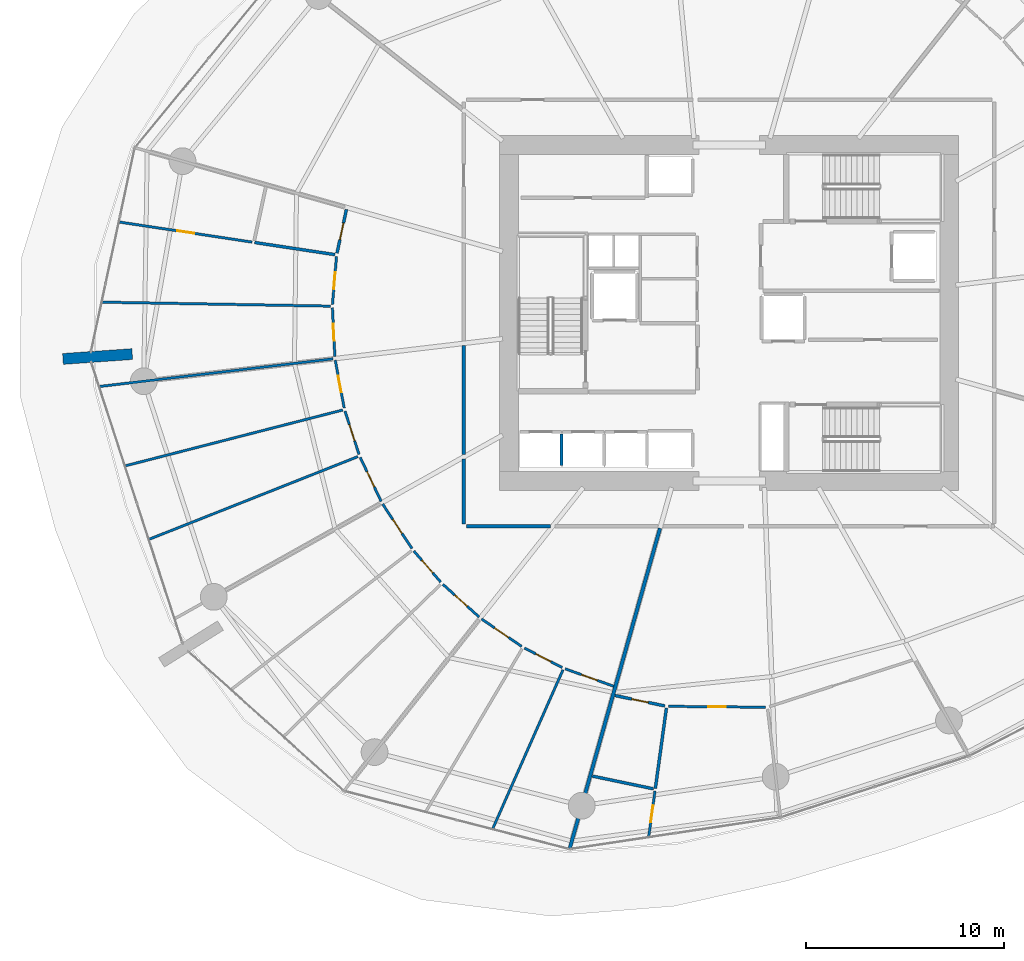
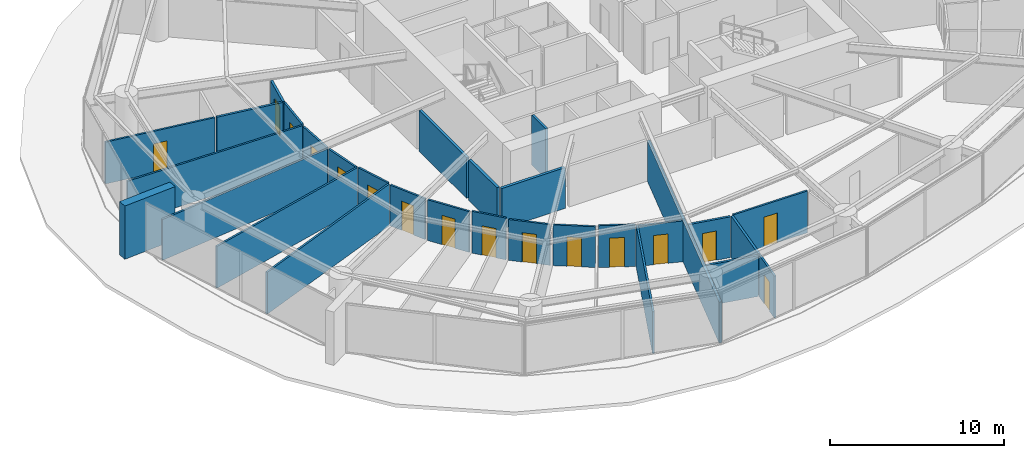
# One storey, part 17 of 22: 30 walls, 16 doors, 16 openings.
"""IFC4 building model written with IfcOpenShell, lengths in metres."""

from ifc_helpers import new_model, si_unit, direction, frame, frame_2d, origin, place, context, subcontext, project, spatial, rectangle, extrude, material, layer, layer_set, type_object, element, fill, save


model = new_model("IFC4")

# Units and contexts
model_context = context("Model", 3, precision=1e-05, world=origin(), true_north=direction((0.0, 1.0)))
body_context = subcontext(model_context, "Body", "Model", "MODEL_VIEW")
ifc_project = project(units=[si_unit("LENGTHUNIT", "METRE"), si_unit("AREAUNIT", "SQUARE_METRE"), si_unit("VOLUMEUNIT", "CUBIC_METRE"), si_unit("PLANEANGLEUNIT", "RADIAN"), si_unit("MASSUNIT", "GRAM", prefix="KILO")], contexts=[model_context])

# Site, building, storey
site_placement = place(None, origin())
site = spatial("IfcSite", under=ifc_project, at=site_placement, CompositionType="ELEMENT")
building_placement = place(site_placement, origin())
building = spatial("IfcBuilding", under=site, at=building_placement, Name="Kazma Halo Residences", CompositionType="ELEMENT")
storey_placement = place(building_placement, frame((0.0, 0.0, 26.39990234375)))
storey = spatial("IfcBuildingStorey", under=building, at=storey_placement, Name="L05", CompositionType="ELEMENT", Elevation=26.39990234375)

# Walls
ifc_material_1 = material(Name="Pale Concrete C60/75", Category="concrete")
ifc_layer_1 = layer(ifc_material_1, 0.550048828125)
ifc_layer_set_1 = layer_set([ifc_layer_1], Name="Pale Concrete C60/75")
wall_type_1 = type_object("IfcWallType", Name="WL-BLADE-550", PredefinedType="SOLIDWALL", material=ifc_layer_set_1)
wall_1_placement = place(storey_placement, frame((18.322021484375, 39.9248046875, 0.0), z_axis=(0.0, 0.0, 1.0), x_axis=(-0.997564163539, -0.069754853754, 0.0)))
element("IfcWall", 1, at=wall_1_placement, inside=storey, type_object=wall_type_1, Name="L05 pale concrete structural blade fin wall BW-02", PredefinedType="SOLIDWALL", context=body_context, shape_type="SweptSolid", body=[
    extrude(rectangle(XDim=3.5, YDim=0.550048828125, at=frame_2d((1.75, 0.0))), origin(), (0.0, 0.0, 1.0), 3.75),
])
ifc_material_2 = material(Name="Acoustic Twin-Stud Gypsum")
ifc_layer_2 = layer(ifc_material_2, 0.179931640625)
ifc_layer_set_2 = layer_set([ifc_layer_2], Name="Acoustic Twin-Stud Gypsum")
wall_type_2 = type_object("IfcWallType", Name="WL-DEM-180", PredefinedType="PARTITIONING", material=ifc_layer_set_2)
wall_2_placement = place(storey_placement, frame((44.938232421875, 31.14404296875, 0.0), z_axis=(0.0, 0.0, 1.0), x_axis=(-0.271435992935, -0.962456493427, 0.0)))
element("IfcWall", 2, at=wall_2_placement, inside=storey, type_object=wall_type_2, Name="L05 apartment demising radial wall 10", PredefinedType="PARTITIONING", context=body_context, shape_type="SweptSolid", body=[
    extrude(rectangle(XDim=16.79248046875, YDim=0.179931640625, at=frame_2d((8.396240234375, 0.0))), origin(), (0.0, 0.0, 1.0), 2.8671875),
])
wall_3_placement = place(storey_placement, frame((35.050048828125, 40.347412109375, 0.0), z_axis=(0.0, 0.0, 1.0), x_axis=(0.0, -1.0, 0.0)))
element("IfcWall", 3, at=wall_3_placement, inside=storey, type_object=wall_type_2, Name="L05 Apartment 2 inner wall 7", PredefinedType="PARTITIONING", context=body_context, shape_type="SweptSolid", body=[
    extrude(rectangle(XDim=5.479736328125, YDim=0.179931640625, at=frame_2d((2.73974609375, 0.0))), origin(), (0.0, 0.0, 1.0), 2.8671875),
])
wall_4_placement = place(storey_placement, frame((35.050048828125, 34.627685546875, 0.0), z_axis=(0.0, 0.0, 1.0), x_axis=(0.0, -1.0, 0.0)))
element("IfcWall", 4, at=wall_4_placement, inside=storey, type_object=wall_type_2, Name="L05 Apartment 2 inner wall 8", PredefinedType="PARTITIONING", context=body_context, shape_type="SweptSolid", body=[
    extrude(rectangle(XDim=3.257568359375, YDim=0.179931640625, at=frame_2d((1.62890625, 0.0))), origin(), (0.0, 0.0, 1.0), 2.8671875),
])
wall_5_placement = place(storey_placement, frame((35.169921875, 31.25, 0.0), z_axis=(0.0, 0.0, 1.0), x_axis=(1.0, 0.0, 0.0)))
element("IfcWall", 5, at=wall_5_placement, inside=storey, type_object=wall_type_2, Name="L05 Apartment 2 inner wall 8", PredefinedType="PARTITIONING", context=body_context, shape_type="SweptSolid", body=[
    extrude(rectangle(XDim=4.235595703125, YDim=0.179931640625, at=frame_2d((2.11767578125, 0.0))), origin(), (0.0, 0.0, 1.0), 2.8671875),
])
ifc_material_3 = material(Name="Fire-Rated Blockwork Masonry", Category="masonry")
ifc_layer_3 = layer(ifc_material_3, 0.199951171875)
ifc_layer_set_3 = layer_set([ifc_layer_3], Name="Fire-Rated Blockwork Masonry")
wall_type_3 = type_object("IfcWallType", Name="WL-FLB-200", PredefinedType="PARTITIONING", material=ifc_layer_set_3)
wall_6_placement = place(storey_placement, frame((39.97509765625, 34.294921875, 0.0), z_axis=(0.0, 0.0, 1.0), x_axis=(0.0, 1.0, 0.0)))
element("IfcWall", 6, at=wall_6_placement, inside=storey, type_object=wall_type_3, Name="L05 lift shaft PL-01 side wall E", PredefinedType="PARTITIONING", context=body_context, shape_type="SweptSolid", body=[
    extrude(rectangle(XDim=1.610107421875, YDim=0.159912109375, at=frame_2d((0.80517578125, 0.0))), origin(), (0.0, 0.0, 1.0), 3.5),
])

# Wall, opening, door
ifc_material_4 = material(Name="Gypsum Plasterboard Partition")
ifc_layer_4 = layer(ifc_material_4, 0.125)
ifc_layer_set_4 = layer_set([ifc_layer_4], Name="Gypsum Plasterboard Partition")
wall_type_4 = type_object("IfcWallType", Name="WL-PART-125", PredefinedType="PARTITIONING", material=ifc_layer_set_4)
wall_7_placement = place(storey_placement, frame((24.368408203125, 45.57177734375, 0.0), z_axis=(0.0, 0.0, 1.0), x_axis=(-0.988769342127, 0.149449617164, 0.0)))
wall_7 = element("IfcWall", 7, at=wall_7_placement, inside=storey, type_object=wall_type_4, Name="L05 Apartment 2 Household Store Room partition wall", PredefinedType="PARTITIONING", context=body_context, shape_type="SweptSolid", body=[
    extrude(rectangle(XDim=6.76953125, YDim=0.125, at=frame_2d((3.384765625, 0.0))), origin(), (0.0, 0.0, 1.0), 2.940185546875),
])
opening_1_placement = place(wall_7_placement, frame((2.959716796875, 0.0, 0.0)))
opening_1 = element("IfcOpeningElement", 8, at=opening_1_placement, cuts=wall_7, Name="Opening DB-900", PredefinedType="OPENING", context=body_context, shape_type="SweptSolid", body=[
    extrude(rectangle(XDim=0.85009765625, YDim=2.06005859375, at=frame_2d((0.425048828125, 1.030029296875))), frame((0.0, 0.072509765625, 0.0), z_axis=(0.0, -1.0, 0.0), x_axis=(1.0, 0.0, 0.0)), (0.0, 0.0, 1.0), 0.14501953125),
])
ifc_material_5 = material(Name="Moisture-Sealed Timber Leaf", Category="wood")
door_type_1 = type_object("IfcDoorType", Name="DR-BTH-900", OperationType="NOTDEFINED", PredefinedType="DOOR", material=ifc_material_5)
door_1_placement = place(opening_1_placement, origin())
door_1 = element("IfcDoor", 9, at=door_1_placement, inside=storey, type_object=door_type_1, Name="L05 Apartment 2 Household Store Room door", OperationType="SINGLE_SWING_LEFT", OverallHeight=2.06005859375, OverallWidth=0.85009765625, PredefinedType="DOOR", context=body_context, shape_type="SweptSolid", body=[
    extrude(rectangle(XDim=0.85009765625, YDim=2.06005859375, at=frame_2d((0.425048828125, 1.030029296875))), frame((0.0, 0.02490234375, 0.0), z_axis=(0.0, -1.0, 0.0), x_axis=(1.0, 0.0, 0.0)), (0.0, 0.0, 1.0), 0.050048828125),
])
fill(opening_1, door_1)

# Wall
wall_8_placement = place(storey_placement, frame((28.322998046875, 42.34326171875, 0.0), z_axis=(0.0, 0.0, 1.0), x_axis=(-0.999848157463, 0.017425900802, 0.0)))
element("IfcWall", 10, at=wall_8_placement, inside=storey, type_object=wall_type_4, Name="L05 Apartment 2 suite divider 6", PredefinedType="PARTITIONING", context=body_context, shape_type="SweptSolid", body=[
    extrude(rectangle(XDim=11.516357421875, YDim=0.125, at=frame_2d((5.75830078125, 0.0))), origin(), (0.0, 0.0, 1.0), 2.940185546875),
])

# Wall, opening, door
wall_9_placement = place(storey_placement, frame((28.62255859375, 44.837890625, 0.0), z_axis=(0.0, 0.0, 1.0), x_axis=(-0.083662019613, -0.996494187878, 0.0)))
wall_9 = element("IfcWall", 11, at=wall_9_placement, inside=storey, type_object=wall_type_4, Name="L05 Apartment 2 Gourmet Kitchen hall wall", PredefinedType="PARTITIONING", context=body_context, shape_type="SweptSolid", body=[
    extrude(rectangle(XDim=2.425048828125, YDim=0.125, at=frame_2d((1.21240234375, 0.0))), origin(), (0.0, 0.0, 1.0), 2.940185546875),
])
opening_2_placement = place(wall_9_placement, frame((0.78759765625, 0.0, 0.0)))
opening_2 = element("IfcOpeningElement", 12, at=opening_2_placement, cuts=wall_9, Name="Opening DB-900", PredefinedType="OPENING", context=body_context, shape_type="SweptSolid", body=[
    extrude(rectangle(XDim=0.85009765625, YDim=2.06005859375, at=frame_2d((0.425048828125, 1.030029296875))), frame((0.0, 0.072509765625, 0.0), z_axis=(0.0, -1.0, 0.0), x_axis=(1.0, 0.0, 0.0)), (0.0, 0.0, 1.0), 0.14501953125),
])
door_2_placement = place(opening_2_placement, origin())
door_2 = element("IfcDoor", 13, at=door_2_placement, inside=storey, type_object=door_type_1, Name="L05 Apartment 2 Gourmet Kitchen door", OperationType="SINGLE_SWING_RIGHT", OverallHeight=2.06005859375, OverallWidth=0.85009765625, PredefinedType="DOOR", context=body_context, shape_type="SweptSolid", body=[
    extrude(rectangle(XDim=0.85009765625, YDim=2.06005859375, at=frame_2d((0.425048828125, 1.030029296875))), frame((0.0, 0.02490234375, 0.0), z_axis=(0.0, -1.0, 0.0), x_axis=(1.0, 0.0, 0.0)), (0.0, 0.0, 1.0), 0.050048828125),
])
fill(opening_2, door_2)

wall_10_placement = place(storey_placement, frame((28.4169921875, 42.26171875, 0.0), z_axis=(0.0, 0.0, 1.0), x_axis=(0.050164619396, -0.998740962893, 0.0)))
wall_10 = element("IfcWall", 14, at=wall_10_placement, inside=storey, type_object=wall_type_4, Name="L05 Apartment 2 Master Bedroom hall wall", PredefinedType="PARTITIONING", context=body_context, shape_type="SweptSolid", body=[
    extrude(rectangle(XDim=2.467529296875, YDim=0.125, at=frame_2d((1.23388671875, 0.0))), origin(), (0.0, 0.0, 1.0), 2.8671875),
])
opening_3_placement = place(wall_10_placement, frame((0.808837890625, 0.0, 0.0)))
opening_3 = element("IfcOpeningElement", 15, at=opening_3_placement, cuts=wall_10, Name="Opening DB-900", PredefinedType="OPENING", context=body_context, shape_type="SweptSolid", body=[
    extrude(rectangle(XDim=0.85009765625, YDim=2.06005859375, at=frame_2d((0.425048828125, 1.030029296875))), frame((0.0, 0.072509765625, 0.0), z_axis=(0.0, -1.0, 0.0), x_axis=(1.0, 0.0, 0.0)), (0.0, 0.0, 1.0), 0.14501953125),
])
door_3_placement = place(opening_3_placement, origin())
door_3 = element("IfcDoor", 16, at=door_3_placement, inside=storey, type_object=door_type_1, Name="L05 Apartment 2 Master Bedroom door", OperationType="SINGLE_SWING_LEFT", OverallHeight=2.06005859375, OverallWidth=0.85009765625, PredefinedType="DOOR", context=body_context, shape_type="SweptSolid", body=[
    extrude(rectangle(XDim=0.85009765625, YDim=2.06005859375, at=frame_2d((0.425048828125, 1.030029296875))), frame((0.0, 0.02490234375, 0.0), z_axis=(0.0, -1.0, 0.0), x_axis=(1.0, 0.0, 0.0)), (0.0, 0.0, 1.0), 0.050048828125),
])
fill(opening_3, door_3)

# Walls
wall_11_placement = place(storey_placement, frame((28.446533203125, 39.685546875, 0.0), z_axis=(0.0, 0.0, 1.0), x_axis=(-0.993069352834, -0.117529827964, 0.0)))
element("IfcWall", 17, at=wall_11_placement, inside=storey, type_object=wall_type_4, Name="L05 Apartment 2 radial partition 7", PredefinedType="PARTITIONING", context=body_context, shape_type="SweptSolid", body=[
    extrude(rectangle(XDim=11.8486328125, YDim=0.125, at=frame_2d((5.92431640625, 0.0))), origin(), (0.0, 0.0, 1.0), 2.8671875),
])
for number, where, z_axis, x_axis, name in (
    (18, (28.938232421875, 37.105712890625, 0.0), (0.0, 0.0, 1.0), (-0.968583138893, -0.248689973767, 0.0), "L05 Apartment 2 bay wall 1 7"),
    (19, (29.701904296875, 34.75537109375, 0.0), (0.0, 0.0, 1.0), (-0.929773223041, -0.368132793591, 0.0), "L05 Apartment 2 bay wall 2 7"),
):
    element("IfcWall", number, at=place(storey_placement, frame(where, z_axis=z_axis, x_axis=x_axis)), inside=storey, type_object=wall_type_4, Name=name, PredefinedType="PARTITIONING", context=body_context, shape_type="SweptSolid", body=[
        extrude(rectangle(XDim=11.313232421875, YDim=0.125, at=frame_2d((5.65673828125, 0.0))), origin(), (0.0, 0.0, 1.0), 2.940185546875),
    ])

# Wall, opening, door
wall_12_placement = place(storey_placement, frame((28.560546875, 39.618896484375, 0.0), z_axis=(0.0, 0.0, 1.0), x_axis=(0.183471474028, -0.98302503438, 0.0)))
wall_12 = element("IfcWall", 20, at=wall_12_placement, inside=storey, type_object=wall_type_4, Name="L05 Apartment 2 Primary Master Bedroom hall wall", PredefinedType="PARTITIONING", context=body_context, shape_type="SweptSolid", body=[
    extrude(rectangle(XDim=2.453857421875, YDim=0.125, at=frame_2d((1.22705078125, 0.0))), origin(), (0.0, 0.0, 1.0), 2.8671875),
])
opening_4_placement = place(wall_12_placement, frame((0.8017578125, 0.0, 0.0)))
opening_4 = element("IfcOpeningElement", 21, at=opening_4_placement, cuts=wall_12, Name="Opening DB-900", PredefinedType="OPENING", context=body_context, shape_type="SweptSolid", body=[
    extrude(rectangle(XDim=0.85009765625, YDim=2.06005859375, at=frame_2d((0.425048828125, 1.030029296875))), frame((0.0, 0.072509765625, 0.0), z_axis=(0.0, -1.0, 0.0), x_axis=(1.0, 0.0, 0.0)), (0.0, 0.0, 1.0), 0.14501953125),
])
door_4_placement = place(opening_4_placement, origin())
door_4 = element("IfcDoor", 22, at=door_4_placement, inside=storey, type_object=door_type_1, Name="L05 Apartment 2 Primary Master Bedroom door", OperationType="SINGLE_SWING_RIGHT", OverallHeight=2.06005859375, OverallWidth=0.85009765625, PredefinedType="DOOR", context=body_context, shape_type="SweptSolid", body=[
    extrude(rectangle(XDim=0.85009765625, YDim=2.06005859375, at=frame_2d((0.425048828125, 1.030029296875))), frame((0.0, 0.02490234375, 0.0), z_axis=(0.0, -1.0, 0.0), x_axis=(1.0, 0.0, 0.0)), (0.0, 0.0, 1.0), 0.050048828125),
])
fill(opening_4, door_4)

wall_13_placement = place(storey_placement, frame((29.05029296875, 37.052001953125, 0.0), z_axis=(0.0, 0.0, 1.0), x_axis=(0.308990065628, -0.951065265554, 0.0)))
wall_13 = element("IfcWall", 23, at=wall_13_placement, inside=storey, type_object=wall_type_4, Name="L05 Apartment 2 Secondary Dressing Wardrobe hall wall", PredefinedType="PARTITIONING", context=body_context, shape_type="SweptSolid", body=[
    extrude(rectangle(XDim=2.300048828125, YDim=0.125, at=frame_2d((1.14990234375, 0.0))), origin(), (0.0, 0.0, 1.0), 2.940185546875),
])
opening_5_placement = place(wall_13_placement, frame((0.72509765625, 0.0, 0.0)))
opening_5 = element("IfcOpeningElement", 24, at=opening_5_placement, cuts=wall_13, Name="Opening DB-900", PredefinedType="OPENING", context=body_context, shape_type="SweptSolid", body=[
    extrude(rectangle(XDim=0.85009765625, YDim=2.06005859375, at=frame_2d((0.425048828125, 1.030029296875))), frame((0.0, 0.072509765625, 0.0), z_axis=(0.0, -1.0, 0.0), x_axis=(1.0, 0.0, 0.0)), (0.0, 0.0, 1.0), 0.14501953125),
])
door_5_placement = place(opening_5_placement, origin())
door_5 = element("IfcDoor", 25, at=door_5_placement, inside=storey, type_object=door_type_1, Name="L05 Apartment 2 Secondary Dressing Wardrobe door", OperationType="SINGLE_SWING_LEFT", OverallHeight=2.06005859375, OverallWidth=0.85009765625, PredefinedType="DOOR", context=body_context, shape_type="SweptSolid", body=[
    extrude(rectangle(XDim=0.85009765625, YDim=2.06005859375, at=frame_2d((0.425048828125, 1.030029296875))), frame((0.0, 0.02490234375, 0.0), z_axis=(0.0, -1.0, 0.0), x_axis=(1.0, 0.0, 0.0)), (0.0, 0.0, 1.0), 0.050048828125),
])
fill(opening_5, door_5)

wall_14_placement = place(storey_placement, frame((29.820068359375, 34.716064453125, 0.0), z_axis=(0.0, 0.0, 1.0), x_axis=(0.429373424985, -0.903127046388, 0.0)))
wall_14 = element("IfcWall", 26, at=wall_14_placement, inside=storey, type_object=wall_type_4, Name="L05 Apartment 2 East Master Bedroom hall wall", PredefinedType="PARTITIONING", context=body_context, shape_type="SweptSolid", body=[
    extrude(rectangle(XDim=2.45361328125, YDim=0.125, at=frame_2d((1.226806640625, 0.0))), origin(), (0.0, 0.0, 1.0), 2.8671875),
])
opening_6_placement = place(wall_14_placement, frame((0.8017578125, 0.0, 0.0)))
opening_6 = element("IfcOpeningElement", 27, at=opening_6_placement, cuts=wall_14, Name="Opening DB-900", PredefinedType="OPENING", context=body_context, shape_type="SweptSolid", body=[
    extrude(rectangle(XDim=0.85009765625, YDim=2.06005859375, at=frame_2d((0.425048828125, 1.030029296875))), frame((0.0, 0.072509765625, 0.0), z_axis=(0.0, -1.0, 0.0), x_axis=(1.0, 0.0, 0.0)), (0.0, 0.0, 1.0), 0.14501953125),
])
door_6_placement = place(opening_6_placement, origin())
door_6 = element("IfcDoor", 28, at=door_6_placement, inside=storey, type_object=door_type_1, Name="L05 Apartment 2 East Master Bedroom door", OperationType="SINGLE_SWING_RIGHT", OverallHeight=2.06005859375, OverallWidth=0.85009765625, PredefinedType="DOOR", context=body_context, shape_type="SweptSolid", body=[
    extrude(rectangle(XDim=0.85009765625, YDim=2.06005859375, at=frame_2d((0.425048828125, 1.030029296875))), frame((0.0, 0.02490234375, 0.0), z_axis=(0.0, -1.0, 0.0), x_axis=(1.0, 0.0, 0.0)), (0.0, 0.0, 1.0), 0.050048828125),
])
fill(opening_6, door_6)

wall_15_placement = place(storey_placement, frame((30.951904296875, 32.361083984375, 0.0), z_axis=(0.0, 0.0, 1.0), x_axis=(0.550641951823, -0.834741541372, 0.0)))
wall_15 = element("IfcWall", 29, at=wall_15_placement, inside=storey, type_object=wall_type_4, Name="L05 Apartment 2 West Master Bedroom hall wall", PredefinedType="PARTITIONING", context=body_context, shape_type="SweptSolid", body=[
    extrude(rectangle(XDim=2.683837890625, YDim=0.125, at=frame_2d((1.341796875, 0.0))), origin(), (0.0, 0.0, 1.0), 2.8671875),
])
opening_7_placement = place(wall_15_placement, frame((0.9169921875, 0.0, 0.0)))
opening_7 = element("IfcOpeningElement", 30, at=opening_7_placement, cuts=wall_15, Name="Opening DB-900", PredefinedType="OPENING", context=body_context, shape_type="SweptSolid", body=[
    extrude(rectangle(XDim=0.85009765625, YDim=2.06005859375, at=frame_2d((0.425048828125, 1.030029296875))), frame((0.0, 0.072509765625, 0.0), z_axis=(0.0, -1.0, 0.0), x_axis=(1.0, 0.0, 0.0)), (0.0, 0.0, 1.0), 0.14501953125),
])
door_7_placement = place(opening_7_placement, origin())
door_7 = element("IfcDoor", 31, at=door_7_placement, inside=storey, type_object=door_type_1, Name="L05 Apartment 2 West Master Bedroom door", OperationType="SINGLE_SWING_LEFT", OverallHeight=2.06005859375, OverallWidth=0.85009765625, PredefinedType="DOOR", context=body_context, shape_type="SweptSolid", body=[
    extrude(rectangle(XDim=0.85009765625, YDim=2.06005859375, at=frame_2d((0.425048828125, 1.030029296875))), frame((0.0, 0.02490234375, 0.0), z_axis=(0.0, -1.0, 0.0), x_axis=(1.0, 0.0, 0.0)), (0.0, 0.0, 1.0), 0.050048828125),
])
fill(opening_7, door_7)

wall_16_placement = place(storey_placement, frame((32.526123046875, 29.993408203125, 0.0), z_axis=(0.0, 0.0, 1.0), x_axis=(0.653933053639, -0.756552418117, 0.0)))
wall_16 = element("IfcWall", 32, at=wall_16_placement, inside=storey, type_object=wall_type_4, Name="L05 Apartment 2 North Study hall wall", PredefinedType="PARTITIONING", context=body_context, shape_type="SweptSolid", body=[
    extrude(rectangle(XDim=2.06982421875, YDim=0.125, at=frame_2d((1.034912109375, 0.0))), origin(), (0.0, 0.0, 1.0), 2.940185546875),
])
opening_8_placement = place(wall_16_placement, frame((0.60986328125, 0.0, 0.0)))
opening_8 = element("IfcOpeningElement", 33, at=opening_8_placement, cuts=wall_16, Name="Opening DB-900", PredefinedType="OPENING", context=body_context, shape_type="SweptSolid", body=[
    extrude(rectangle(XDim=0.85009765625, YDim=2.06005859375, at=frame_2d((0.425048828125, 1.030029296875))), frame((0.0, 0.072509765625, 0.0), z_axis=(0.0, -1.0, 0.0), x_axis=(1.0, 0.0, 0.0)), (0.0, 0.0, 1.0), 0.14501953125),
])
door_8_placement = place(opening_8_placement, origin())
door_8 = element("IfcDoor", 34, at=door_8_placement, inside=storey, type_object=door_type_1, Name="L05 Apartment 2 North Study door", OperationType="SINGLE_SWING_RIGHT", OverallHeight=2.06005859375, OverallWidth=0.85009765625, PredefinedType="DOOR", context=body_context, shape_type="SweptSolid", body=[
    extrude(rectangle(XDim=0.85009765625, YDim=2.06005859375, at=frame_2d((0.425048828125, 1.030029296875))), frame((0.0, 0.02490234375, 0.0), z_axis=(0.0, -1.0, 0.0), x_axis=(1.0, 0.0, 0.0)), (0.0, 0.0, 1.0), 0.050048828125),
])
fill(opening_8, door_8)

wall_17_placement = place(storey_placement, frame((33.9912109375, 28.3134765625, 0.0), z_axis=(0.0, 0.0, 1.0), x_axis=(0.742254293896, -0.670118320293, 0.0)))
wall_17 = element("IfcWall", 35, at=wall_17_placement, inside=storey, type_object=wall_type_4, Name="L05 Apartment 2 South Master Bedroom hall wall", PredefinedType="PARTITIONING", context=body_context, shape_type="SweptSolid", body=[
    extrude(rectangle(XDim=2.45361328125, YDim=0.125, at=frame_2d((1.226806640625, 0.0))), origin(), (0.0, 0.0, 1.0), 2.8671875),
])
opening_9_placement = place(wall_17_placement, frame((0.8017578125, 0.0, 0.0)))
opening_9 = element("IfcOpeningElement", 36, at=opening_9_placement, cuts=wall_17, Name="Opening DB-900", PredefinedType="OPENING", context=body_context, shape_type="SweptSolid", body=[
    extrude(rectangle(XDim=0.85009765625, YDim=2.06005859375, at=frame_2d((0.425048828125, 1.030029296875))), frame((0.0, 0.072509765625, 0.0), z_axis=(0.0, -1.0, 0.0), x_axis=(1.0, 0.0, 0.0)), (0.0, 0.0, 1.0), 0.14501953125),
])
door_9_placement = place(opening_9_placement, origin())
door_9 = element("IfcDoor", 37, at=door_9_placement, inside=storey, type_object=door_type_1, Name="L05 Apartment 2 South Master Bedroom door", OperationType="SINGLE_SWING_LEFT", OverallHeight=2.06005859375, OverallWidth=0.85009765625, PredefinedType="DOOR", context=body_context, shape_type="SweptSolid", body=[
    extrude(rectangle(XDim=0.85009765625, YDim=2.06005859375, at=frame_2d((0.425048828125, 1.030029296875))), frame((0.0, 0.02490234375, 0.0), z_axis=(0.0, -1.0, 0.0), x_axis=(1.0, 0.0, 0.0)), (0.0, 0.0, 1.0), 0.050048828125),
])
fill(opening_9, door_9)

# Wall
wall_18_placement = place(storey_placement, frame((40.04248046875, 24.00048828125, 0.0), z_axis=(0.0, 0.0, 1.0), x_axis=(-0.404336692669, -0.91461021149, 0.0)))
element("IfcWall", 38, at=wall_18_placement, inside=storey, type_object=wall_type_4, Name="L05 Apartment 2 bay wall 2 9", PredefinedType="PARTITIONING", context=body_context, shape_type="SweptSolid", body=[
    extrude(rectangle(XDim=8.7666015625, YDim=0.125, at=frame_2d((4.38330078125, 0.0))), origin(), (0.0, 0.0, 1.0), 2.940185546875),
])

# Wall, opening, door
wall_19_placement = place(storey_placement, frame((35.93798828125, 26.5703125, 0.0), z_axis=(0.0, 0.0, 1.0), x_axis=(0.824894565629, -0.565286613672, 0.0)))
wall_19 = element("IfcWall", 39, at=wall_19_placement, inside=storey, type_object=wall_type_4, Name="L05 Apartment 2 Inner Bedroom hall wall", PredefinedType="PARTITIONING", context=body_context, shape_type="SweptSolid", body=[
    extrude(rectangle(XDim=2.45361328125, YDim=0.125, at=frame_2d((1.226806640625, 0.0))), origin(), (0.0, 0.0, 1.0), 2.8671875),
])
opening_10_placement = place(wall_19_placement, frame((0.8017578125, 0.0, 0.0)))
opening_10 = element("IfcOpeningElement", 40, at=opening_10_placement, cuts=wall_19, Name="Opening DB-900", PredefinedType="OPENING", context=body_context, shape_type="SweptSolid", body=[
    extrude(rectangle(XDim=0.85009765625, YDim=2.06005859375, at=frame_2d((0.425048828125, 1.030029296875))), frame((0.0, 0.072509765625, 0.0), z_axis=(0.0, -1.0, 0.0), x_axis=(1.0, 0.0, 0.0)), (0.0, 0.0, 1.0), 0.14501953125),
])
door_10_placement = place(opening_10_placement, origin())
door_10 = element("IfcDoor", 41, at=door_10_placement, inside=storey, type_object=door_type_1, Name="L05 Apartment 2 Inner Bedroom door", OperationType="SINGLE_SWING_RIGHT", OverallHeight=2.06005859375, OverallWidth=0.85009765625, PredefinedType="DOOR", context=body_context, shape_type="SweptSolid", body=[
    extrude(rectangle(XDim=0.85009765625, YDim=2.06005859375, at=frame_2d((0.425048828125, 1.030029296875))), frame((0.0, 0.02490234375, 0.0), z_axis=(0.0, -1.0, 0.0), x_axis=(1.0, 0.0, 0.0)), (0.0, 0.0, 1.0), 0.050048828125),
])
fill(opening_10, door_10)

wall_20_placement = place(storey_placement, frame((38.09912109375, 25.1015625, 0.0), z_axis=(0.0, 0.0, 1.0), x_axis=(0.889180724552, -0.457556159487, 0.0)))
wall_20 = element("IfcWall", 42, at=wall_20_placement, inside=storey, type_object=wall_type_4, Name="L05 Apartment 2 Outer Dressing Wardrobe hall wall", PredefinedType="PARTITIONING", context=body_context, shape_type="SweptSolid", body=[
    extrude(rectangle(XDim=2.146484375, YDim=0.125, at=frame_2d((1.0732421875, 0.0))), origin(), (0.0, 0.0, 1.0), 2.940185546875),
])
opening_11_placement = place(wall_20_placement, frame((0.648193359375, 0.0, 0.0)))
opening_11 = element("IfcOpeningElement", 43, at=opening_11_placement, cuts=wall_20, Name="Opening DB-900", PredefinedType="OPENING", context=body_context, shape_type="SweptSolid", body=[
    extrude(rectangle(XDim=0.85009765625, YDim=2.06005859375, at=frame_2d((0.425048828125, 1.030029296875))), frame((0.0, 0.072509765625, 0.0), z_axis=(0.0, -1.0, 0.0), x_axis=(1.0, 0.0, 0.0)), (0.0, 0.0, 1.0), 0.14501953125),
])
door_11_placement = place(opening_11_placement, origin())
door_11 = element("IfcDoor", 44, at=door_11_placement, inside=storey, type_object=door_type_1, Name="L05 Apartment 2 Outer Dressing Wardrobe door", OperationType="SINGLE_SWING_LEFT", OverallHeight=2.06005859375, OverallWidth=0.85009765625, PredefinedType="DOOR", context=body_context, shape_type="SweptSolid", body=[
    extrude(rectangle(XDim=0.85009765625, YDim=2.06005859375, at=frame_2d((0.425048828125, 1.030029296875))), frame((0.0, 0.02490234375, 0.0), z_axis=(0.0, -1.0, 0.0), x_axis=(1.0, 0.0, 0.0)), (0.0, 0.0, 1.0), 0.050048828125),
])
fill(opening_11, door_11)

wall_21_placement = place(storey_placement, frame((40.154296875, 24.0556640625, 0.0), z_axis=(0.0, 0.0, 1.0), x_axis=(0.94088502421, -0.338726100584, 0.0)))
wall_21 = element("IfcWall", 45, at=wall_21_placement, inside=storey, type_object=wall_type_4, Name="L05 Apartment 2 Corner Bedroom hall wall", PredefinedType="PARTITIONING", context=body_context, shape_type="SweptSolid", body=[
    extrude(rectangle(XDim=2.60693359375, YDim=0.125, at=frame_2d((1.303466796875, 0.0))), origin(), (0.0, 0.0, 1.0), 2.8671875),
])
opening_12_placement = place(wall_21_placement, frame((0.878662109375, 0.0, 0.0)))
opening_12 = element("IfcOpeningElement", 46, at=opening_12_placement, cuts=wall_21, Name="Opening DB-900", PredefinedType="OPENING", context=body_context, shape_type="SweptSolid", body=[
    extrude(rectangle(XDim=0.85009765625, YDim=2.06005859375, at=frame_2d((0.425048828125, 1.030029296875))), frame((0.0, 0.072509765625, 0.0), z_axis=(0.0, -1.0, 0.0), x_axis=(1.0, 0.0, 0.0)), (0.0, 0.0, 1.0), 0.14501953125),
])
door_12_placement = place(opening_12_placement, origin())
door_12 = element("IfcDoor", 47, at=door_12_placement, inside=storey, type_object=door_type_1, Name="L05 Apartment 2 Corner Bedroom door", OperationType="SINGLE_SWING_RIGHT", OverallHeight=2.06005859375, OverallWidth=0.85009765625, PredefinedType="DOOR", context=body_context, shape_type="SweptSolid", body=[
    extrude(rectangle(XDim=0.85009765625, YDim=2.06005859375, at=frame_2d((0.425048828125, 1.030029296875))), frame((0.0, 0.02490234375, 0.0), z_axis=(0.0, -1.0, 0.0), x_axis=(1.0, 0.0, 0.0)), (0.0, 0.0, 1.0), 0.050048828125),
])
fill(opening_12, door_12)

wall_22_placement = place(storey_placement, frame((44.68505859375, 17.893798828125, 0.0), z_axis=(0.0, 0.0, 1.0), x_axis=(-0.136247867624, -0.990674779414, 0.0)))
wall_22 = element("IfcWall", 48, at=wall_22_placement, inside=storey, type_object=wall_type_4, Name="L05 Apartment 3 Utility Laundry Room partition wall", PredefinedType="PARTITIONING", context=body_context, shape_type="SweptSolid", body=[
    extrude(rectangle(XDim=2.3330078125, YDim=0.125, at=frame_2d((1.16650390625, 0.0))), origin(), (0.0, 0.0, 1.0), 2.940185546875),
])
opening_13_placement = place(wall_22_placement, frame((0.74169921875, 0.0, 0.0)))
opening_13 = element("IfcOpeningElement", 49, at=opening_13_placement, cuts=wall_22, Name="Opening DB-900", PredefinedType="OPENING", context=body_context, shape_type="SweptSolid", body=[
    extrude(rectangle(XDim=0.85009765625, YDim=2.06005859375, at=frame_2d((0.425048828125, 1.030029296875))), frame((0.0, 0.072509765625, 0.0), z_axis=(0.0, -1.0, 0.0), x_axis=(1.0, 0.0, 0.0)), (0.0, 0.0, 1.0), 0.14501953125),
])
door_13_placement = place(opening_13_placement, origin())
door_13 = element("IfcDoor", 50, at=door_13_placement, inside=storey, type_object=door_type_1, Name="L05 Apartment 3 Utility Laundry Room door", OperationType="SINGLE_SWING_LEFT", OverallHeight=2.06005859375, OverallWidth=0.85009765625, PredefinedType="DOOR", context=body_context, shape_type="SweptSolid", body=[
    extrude(rectangle(XDim=0.85009765625, YDim=2.06005859375, at=frame_2d((0.425048828125, 1.030029296875))), frame((0.0, 0.02490234375, 0.0), z_axis=(0.0, -1.0, 0.0), x_axis=(1.0, 0.0, 0.0)), (0.0, 0.0, 1.0), 0.050048828125),
])
fill(opening_13, door_13)

wall_23_placement = place(storey_placement, frame((45.3623046875, 22.162841796875, 0.0), z_axis=(0.0, 0.0, 1.0), x_axis=(0.999955503148, -0.009433542483, 0.0)))
wall_23 = element("IfcWall", 51, at=wall_23_placement, inside=storey, type_object=wall_type_4, Name="L05 Apartment 3 Gourmet Kitchen hall wall", PredefinedType="PARTITIONING", context=body_context, shape_type="SweptSolid", body=[
    extrude(rectangle(XDim=4.891357421875, YDim=0.125, at=frame_2d((2.44580078125, 0.0))), origin(), (0.0, 0.0, 1.0), 2.940185546875),
])
opening_14_placement = place(wall_23_placement, frame((1.995849609375, 0.0, 0.0)))
opening_14 = element("IfcOpeningElement", 52, at=opening_14_placement, cuts=wall_23, Name="Opening DI-950", PredefinedType="OPENING", context=body_context, shape_type="SweptSolid", body=[
    extrude(rectangle(XDim=0.89990234375, YDim=2.080078125, at=frame_2d((0.449951171875, 1.0400390625))), frame((0.0, 0.072509765625, 0.0), z_axis=(0.0, -1.0, 0.0), x_axis=(1.0, 0.0, 0.0)), (0.0, 0.0, 1.0), 0.14501953125),
])
ifc_material_6 = material(Name="Timber Veneer Flush Leaf", Category="wood")
door_type_2 = type_object("IfcDoorType", Name="DR-INT-950", OperationType="NOTDEFINED", PredefinedType="DOOR", material=ifc_material_6)
door_14_placement = place(opening_14_placement, origin())
door_14 = element("IfcDoor", 53, at=door_14_placement, inside=storey, type_object=door_type_2, Name="L05 Apartment 3 Gourmet Kitchen door", OperationType="SINGLE_SWING_RIGHT", OverallHeight=2.080078125, OverallWidth=0.89990234375, PredefinedType="DOOR", context=body_context, shape_type="SweptSolid", body=[
    extrude(rectangle(XDim=0.89990234375, YDim=2.080078125, at=frame_2d((0.449951171875, 1.0400390625))), frame((0.0, 0.02490234375, 0.0), z_axis=(0.0, -1.0, 0.0), x_axis=(1.0, 0.0, 0.0)), (0.0, 0.0, 1.0), 0.050048828125),
])
fill(opening_14, door_14)

ifc_material_7 = material(Name="Moisture-Resistant Gypsum")
ifc_layer_5 = layer(ifc_material_7, 0.14990234375)
ifc_layer_set_5 = layer_set([ifc_layer_5], Name="Moisture-Resistant Gypsum")
wall_type_5 = type_object("IfcWallType", Name="WL-WET-150", PredefinedType="PARTITIONING", material=ifc_layer_set_5)
wall_24_placement = place(storey_placement, frame((29.12451171875, 47.2197265625, 0.0), z_axis=(0.0, 0.0, 1.0), x_axis=(-0.210919017848, -0.977503538567, 0.0)))
wall_24 = element("IfcWall", 54, at=wall_24_placement, inside=storey, type_object=wall_type_5, Name="L05 Apartment 2 Guest Bathroom hall wall", PredefinedType="PARTITIONING", context=body_context, shape_type="SweptSolid", body=[
    extrude(rectangle(XDim=2.2548828125, YDim=0.14990234375, at=frame_2d((1.12744140625, 0.0))), origin(), (0.0, 0.0, 1.0), 2.8671875),
])
opening_15_placement = place(wall_24_placement, frame((0.702392578125, 0.0, 0.0)))
opening_15 = element("IfcOpeningElement", 55, at=opening_15_placement, cuts=wall_24, Name="Opening DB-900", PredefinedType="OPENING", context=body_context, shape_type="SweptSolid", body=[
    extrude(rectangle(XDim=0.85009765625, YDim=2.06005859375, at=frame_2d((0.425048828125, 1.030029296875))), frame((0.0, 0.0849609375, 0.0), z_axis=(0.0, -1.0, 0.0), x_axis=(1.0, 0.0, 0.0)), (0.0, 0.0, 1.0), 0.169921875),
])
door_15_placement = place(opening_15_placement, origin())
door_15 = element("IfcDoor", 56, at=door_15_placement, inside=storey, type_object=door_type_1, Name="L05 Apartment 2 Guest Bathroom door", OperationType="SINGLE_SWING_RIGHT", OverallHeight=2.06005859375, OverallWidth=0.85009765625, PredefinedType="DOOR", context=body_context, shape_type="SweptSolid", body=[
    extrude(rectangle(XDim=0.85009765625, YDim=2.06005859375, at=frame_2d((0.425048828125, 1.030029296875))), frame((0.0, 0.02490234375, 0.0), z_axis=(0.0, -1.0, 0.0), x_axis=(1.0, 0.0, 0.0)), (0.0, 0.0, 1.0), 0.050048828125),
])
fill(opening_15, door_15)

# Wall
wall_25_placement = place(storey_placement, frame((28.541015625, 44.941162109375, 0.0), z_axis=(0.0, 0.0, 1.0), x_axis=(-0.988765818212, 0.149472929776, 0.0)))
element("IfcWall", 57, at=wall_25_placement, inside=storey, type_object=wall_type_5, Name="L05 Apartment 2 Guest Bathroom side wall", PredefinedType="PARTITIONING", context=body_context, shape_type="SweptSolid", body=[
    extrude(rectangle(XDim=4.08984375, YDim=0.14990234375, at=frame_2d((2.044921875, 0.0))), origin(), (0.0, 0.0, 1.0), 2.940185546875),
])

# Wall, opening, door
wall_26_placement = place(storey_placement, frame((42.662841796875, 22.70849609375, 0.0), z_axis=(0.0, 0.0, 1.0), x_axis=(0.97889437531, -0.204366831913, 0.0)))
wall_26 = element("IfcWall", 58, at=wall_26_placement, inside=storey, type_object=wall_type_5, Name="L05 Apartment 3 Guest Bathroom hall wall", PredefinedType="PARTITIONING", context=body_context, shape_type="SweptSolid", body=[
    extrude(rectangle(XDim=2.57568359375, YDim=0.14990234375, at=frame_2d((1.287841796875, 0.0))), origin(), (0.0, 0.0, 1.0), 2.8671875),
])
opening_16_placement = place(wall_26_placement, frame((0.86279296875, 0.0, 0.0)))
opening_16 = element("IfcOpeningElement", 59, at=opening_16_placement, cuts=wall_26, Name="Opening DB-900", PredefinedType="OPENING", context=body_context, shape_type="SweptSolid", body=[
    extrude(rectangle(XDim=0.85009765625, YDim=2.06005859375, at=frame_2d((0.425048828125, 1.030029296875))), frame((0.0, 0.0849609375, 0.0), z_axis=(0.0, -1.0, 0.0), x_axis=(1.0, 0.0, 0.0)), (0.0, 0.0, 1.0), 0.169921875),
])
door_16_placement = place(opening_16_placement, origin())
door_16 = element("IfcDoor", 60, at=door_16_placement, inside=storey, type_object=door_type_1, Name="L05 Apartment 3 Guest Bathroom door", OperationType="SINGLE_SWING_RIGHT", OverallHeight=2.06005859375, OverallWidth=0.85009765625, PredefinedType="DOOR", context=body_context, shape_type="SweptSolid", body=[
    extrude(rectangle(XDim=0.85009765625, YDim=2.06005859375, at=frame_2d((0.425048828125, 1.030029296875))), frame((0.0, 0.02490234375, 0.0), z_axis=(0.0, -1.0, 0.0), x_axis=(1.0, 0.0, 0.0)), (0.0, 0.0, 1.0), 0.050048828125),
])
fill(opening_16, door_16)

# Walls
wall_27_placement = place(storey_placement, frame((41.517333984375, 18.646728515625, 0.0), z_axis=(0.0, 0.0, 1.0), x_axis=(0.978908333459, -0.204299962518, 0.0)))
element("IfcWall", 61, at=wall_27_placement, inside=storey, type_object=wall_type_5, Name="L05 Apartment 3 Guest Bathroom back wall", PredefinedType="PARTITIONING", context=body_context, shape_type="SweptSolid", body=[
    extrude(rectangle(XDim=3.158447265625, YDim=0.14990234375, at=frame_2d((1.5791015625, 0.0))), origin(), (0.0, 0.0, 1.0), 2.8671875),
])
wall_28_placement = place(storey_placement, frame((45.260009765625, 22.074462890625, 0.0), z_axis=(0.0, 0.0, 1.0), x_axis=(-0.136279855187, -0.990670379627, 0.0)))
element("IfcWall", 62, at=wall_28_placement, inside=storey, type_object=wall_type_5, Name="L05 Apartment 3 Guest Bathroom side wall", PredefinedType="PARTITIONING", context=body_context, shape_type="SweptSolid", body=[
    extrude(rectangle(XDim=4.08984375, YDim=0.14990234375, at=frame_2d((2.044921875, 0.0))), origin(), (0.0, 0.0, 1.0), 2.940185546875),
])

save(model, "model.ifc")
